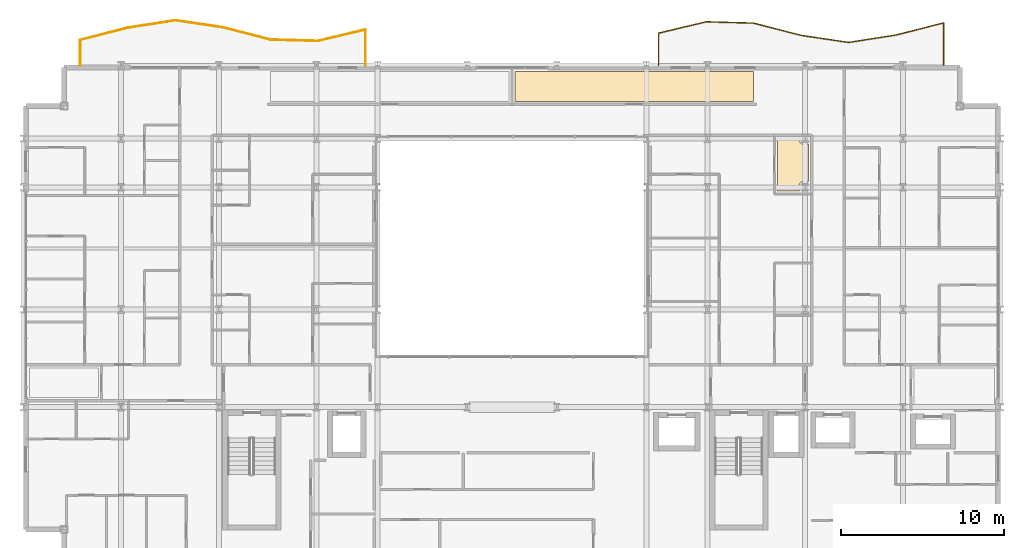
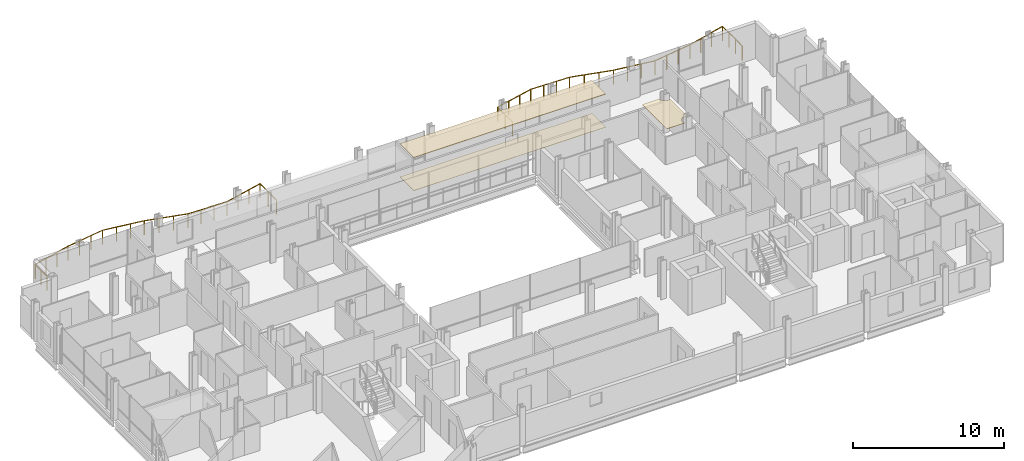
# One storey, part 41 of 41: 3 coverings, 2 railings.
"""IFC4 building model written with IfcOpenShell, lengths in metres."""

from ifc_helpers import new_model, si_unit, direction, frame, origin, origin_2d, place, context, subcontext, project, spatial, polyline, circle, outline, extrude, material, layer, layer_set, type_object, element, save


model = new_model("IFC4")

# Units and contexts
model_context = context("Model", 3, precision=1e-05, world=origin(), true_north=direction((0.0, 1.0)))
body_context = subcontext(model_context, "Body", "Model", "MODEL_VIEW")
ifc_project = project(units=[si_unit("LENGTHUNIT", "METRE"), si_unit("AREAUNIT", "SQUARE_METRE"), si_unit("VOLUMEUNIT", "CUBIC_METRE"), si_unit("PLANEANGLEUNIT", "RADIAN"), si_unit("MASSUNIT", "GRAM", prefix="KILO")], contexts=[model_context])

# Site, building, storey
site_placement = place(None, origin())
site = spatial("IfcSite", under=ifc_project, at=site_placement, CompositionType="ELEMENT")
building_placement = place(site_placement, origin())
building = spatial("IfcBuilding", under=site, at=building_placement, Name="Brevholm Reach", CompositionType="ELEMENT")
storey_placement = place(building_placement, frame((0.0, 0.0, 43.5)))
storey = spatial("IfcBuildingStorey", under=building, at=storey_placement, Name="L11", CompositionType="ELEMENT", Elevation=43.5)

# Coverings
ifc_material_1 = material(Name="Perforated Mineral-Fibre Class-A Acoustic Suspended Ceiling", Category="gypsum")
ifc_layer_1 = layer(ifc_material_1, 0.044921875)
ifc_layer_set_1 = layer_set([ifc_layer_1], Name="Perforated Mineral-Fibre Class-A Acoustic Suspended Ceiling")
covering_type_1 = type_object("IfcCoveringType", Name="COV-CLG-AC", PredefinedType="CEILING", material=ifc_layer_set_1)
covering_1_placement = place(storey_placement, frame((0.0, 0.0, 2.655029296875)))
element("IfcCovering", 1, at=covering_1_placement, inside=storey, type_object=covering_type_1, Name="L11 Suspended Ceiling L11-79", PredefinedType="CEILING", context=body_context, shape_type="SweptSolid", body=[
    extrude(outline(polyline([(32.626220703125, 30.6201171875), (32.6337890625, 30.6171875), (32.672119140625, 30.607666015625), (32.710693359375, 30.601806640625), (32.75, 30.60009765625), (32.789306640625, 30.601806640625), (32.827880859375, 30.607666015625), (32.8662109375, 30.6171875), (32.873779296875, 30.6201171875), (38.126220703125, 30.6201171875), (38.1337890625, 30.6171875), (38.172119140625, 30.607666015625), (38.210693359375, 30.601806640625), (38.25, 30.60009765625), (38.289306640625, 30.601806640625), (38.327880859375, 30.607666015625), (38.3662109375, 30.6171875), (38.373779296875, 30.6201171875), (41.876220703125, 30.6201171875), (41.8837890625, 30.6171875), (41.922119140625, 30.607666015625), (41.960693359375, 30.601806640625), (42.0, 30.60009765625), (42.039306640625, 30.601806640625), (42.077880859375, 30.607666015625), (42.1162109375, 30.6171875), (42.123779296875, 30.6201171875), (44.820068359375, 30.6201171875), (44.820068359375, 28.783935546875), (30.18408203125, 28.783935546875), (30.18408203125, 30.6201171875), (32.626220703125, 30.6201171875)])), origin(), (0.0, 0.0, 1.0), 0.044921875),
])
ifc_material_2 = material(Name="Moisture-Resistant Skimmed Gypsum Plasterboard Ceiling", Category="gypsum")
ifc_layer_2 = layer(ifc_material_2, 0.030029296875)
ifc_layer_set_2 = layer_set([ifc_layer_2], Name="Moisture-Resistant Skimmed Gypsum Plasterboard Ceiling")
covering_type_2 = type_object("IfcCoveringType", Name="COV-CLG-GYP", PredefinedType="CEILING", material=ifc_layer_set_2)
covering_2_placement = place(storey_placement, frame((0.0, 0.0, 2.669921875)))
element("IfcCovering", 2, at=covering_2_placement, inside=storey, type_object=covering_type_2, Name="L11 Suspended Ceiling L11-63", PredefinedType="CEILING", context=body_context, shape_type="SweptSolid", body=[
    extrude(outline(polyline([(46.2919921875, 26.51611328125), (47.600830078125, 26.51611328125), (47.60009765625, 26.5), (47.601806640625, 26.460693359375), (47.607666015625, 26.422119140625), (47.6171875, 26.3837890625), (47.63037109375, 26.346923828125), (47.647216796875, 26.311279296875), (47.66748046875, 26.27783203125), (47.69091796875, 26.24609375), (47.71728515625, 26.21728515625), (47.74609375, 26.19091796875), (47.77783203125, 26.16748046875), (47.811279296875, 26.147216796875), (47.846923828125, 26.13037109375), (47.8837890625, 26.1171875), (47.922119140625, 26.107666015625), (47.960693359375, 26.101806640625), (48.0, 26.10009765625), (48.039306640625, 26.101806640625), (48.077880859375, 26.107666015625), (48.1162109375, 26.1171875), (48.153076171875, 26.13037109375), (48.188720703125, 26.147216796875), (48.216064453125, 26.163818359375), (48.216064453125, 23.836181640625), (48.188720703125, 23.852783203125), (48.153076171875, 23.86962890625), (48.1162109375, 23.8828125), (48.077880859375, 23.892333984375), (48.039306640625, 23.898193359375), (48.0, 23.89990234375), (47.960693359375, 23.898193359375), (47.922119140625, 23.892333984375), (47.8837890625, 23.8828125), (47.846923828125, 23.86962890625), (47.811279296875, 23.852783203125), (47.77783203125, 23.83251953125), (47.74609375, 23.80908203125), (47.71728515625, 23.78271484375), (47.69091796875, 23.75390625), (47.66748046875, 23.72216796875), (47.647216796875, 23.688720703125), (47.63037109375, 23.653076171875), (47.6171875, 23.6162109375), (47.607666015625, 23.577880859375), (47.601806640625, 23.539306640625), (47.60009765625, 23.5), (47.601806640625, 23.460693359375), (47.607666015625, 23.422119140625), (47.6171875, 23.3837890625), (47.63037109375, 23.346923828125), (47.647216796875, 23.311279296875), (47.666015625, 23.280029296875), (46.2919921875, 23.280029296875), (46.2919921875, 26.51611328125)])), origin(), (0.0, 0.0, 1.0), 0.030029296875),
])
ifc_material_3 = material(Name="Engineered European Oak Acoustic Plank Flooring", Category="timber")
ifc_layer_3 = layer(ifc_material_3, 0.02197265625)
ifc_layer_set_3 = layer_set([ifc_layer_3], Name="Engineered European Oak Acoustic Plank Flooring")
covering_type_3 = type_object("IfcCoveringType", Name="COV-FLR-OAK", PredefinedType="FLOORING", material=ifc_layer_set_3)
covering_3_placement = place(storey_placement, origin())
element("IfcCovering", 3, at=covering_3_placement, inside=storey, type_object=covering_type_3, Name="L11 Floor Finish L11-79", PredefinedType="FLOORING", context=body_context, shape_type="SweptSolid", body=[
    extrude(outline(polyline([(32.626220703125, 30.6201171875), (32.6337890625, 30.6171875), (32.672119140625, 30.607666015625), (32.710693359375, 30.601806640625), (32.75, 30.60009765625), (32.789306640625, 30.601806640625), (32.827880859375, 30.607666015625), (32.8662109375, 30.6171875), (32.873779296875, 30.6201171875), (38.126220703125, 30.6201171875), (38.1337890625, 30.6171875), (38.172119140625, 30.607666015625), (38.210693359375, 30.601806640625), (38.25, 30.60009765625), (38.289306640625, 30.601806640625), (38.327880859375, 30.607666015625), (38.3662109375, 30.6171875), (38.373779296875, 30.6201171875), (41.876220703125, 30.6201171875), (41.8837890625, 30.6171875), (41.922119140625, 30.607666015625), (41.960693359375, 30.601806640625), (42.0, 30.60009765625), (42.039306640625, 30.601806640625), (42.077880859375, 30.607666015625), (42.1162109375, 30.6171875), (42.123779296875, 30.6201171875), (44.820068359375, 30.6201171875), (44.820068359375, 28.783935546875), (30.18408203125, 28.783935546875), (30.18408203125, 30.6201171875), (32.626220703125, 30.6201171875)])), origin(), (0.0, 0.0, 1.0), 0.02197265625),
])

# Railings
ifc_material_4 = material(Name="Brushed Stainless Steel EN 1.4401 and Laminated Glass", Category="steel")
railing_type = type_object("IfcRailingType", Name="RAL-BALC-1150", PredefinedType="BALUSTRADE", material=ifc_material_4)
railing_1_placement = place(storey_placement, frame((56.5, 31.0, 0.0)))
element("IfcRailing", 4, at=railing_1_placement, inside=storey, type_object=railing_type, Name="L11 Guard Balustrade RAL-L11-BAL-NE", PredefinedType="BALUSTRADE", context=body_context, shape_type="SweptSolid", body=[
    extrude(circle(Radius=0.02392578125, at=origin_2d()), frame((0.0, 0.0, 1.1259765625), z_axis=(0.0, 1.0, 0.0), x_axis=(-1.0, 0.0, 0.0)), (0.0, 0.0, 1.0), 2.599609375),
    extrude(circle(Radius=0.02392578125, at=origin_2d()), frame((0.0, 2.599609375, 1.1259765625), z_axis=(-0.968942936238, -0.247284423921, 0.0), x_axis=(0.247284423921, -0.968942936238, 0.0)), (0.0, 0.0, 1.0), 3.01025390625),
    extrude(circle(Radius=0.02392578125, at=origin_2d()), frame((-2.916748046875, 1.855224609375, 1.1259765625), z_axis=(-0.988044338858, -0.154169985571, 0.0), x_axis=(0.154169985571, -0.988044338858, 0.0)), (0.0, 0.0, 1.0), 2.951904296875),
    extrude(circle(Radius=0.02392578125, at=origin_2d()), frame((-5.833251953125, 1.400146484375, 1.1259765625), z_axis=(-0.98916653389, 0.146797711943, 0.0), x_axis=(-0.146797711943, -0.98916653389, 0.0)), (0.0, 0.0, 1.0), 2.94873046875),
    extrude(circle(Radius=0.02392578125, at=origin_2d()), frame((-8.75, 1.8330078125, 1.1259765625), z_axis=(-0.968377202247, 0.2494906695, 0.0), x_axis=(-0.2494906695, -0.968377202247, 0.0)), (0.0, 0.0, 1.0), 3.011962890625),
    extrude(circle(Radius=0.02392578125, at=origin_2d()), frame((-11.666748046875, 2.58447265625, 1.1259765625), z_axis=(-0.99961635372, 0.027697389342, 0.0), x_axis=(-0.027697389342, -0.99961635372, 0.0)), (0.0, 0.0, 1.0), 2.917724609375),
    extrude(circle(Radius=0.02392578125, at=origin_2d()), frame((-14.583251953125, 2.665283203125, 1.1259765625), z_axis=(-0.972705660557, -0.23204244853, 0.0), x_axis=(0.23204244853, -0.972705660557, 0.0)), (0.0, 0.0, 1.0), 2.99853515625),
    extrude(circle(Radius=0.02392578125, at=origin_2d()), frame((-17.5, 1.969482421875, 1.1259765625), z_axis=(0.0, -1.0, 0.0), x_axis=(1.0, 0.0, 0.0)), (0.0, 0.0, 1.0), 1.969482421875),
    extrude(circle(Radius=0.02099609375, at=origin_2d()), origin(), (0.0, 0.0, 1.0), 1.101806640625),
    extrude(circle(Radius=0.02099609375, at=origin_2d()), frame((0.0, 0.866455078125, 0.0)), (0.0, 0.0, 1.0), 1.101806640625),
    extrude(circle(Radius=0.02099609375, at=origin_2d()), frame((0.0, 1.733154296875, 0.0)), (0.0, 0.0, 1.0), 1.101806640625),
    extrude(circle(Radius=0.02099609375, at=origin_2d()), frame((0.0, 2.599609375, 0.0)), (0.0, 0.0, 1.0), 1.101806640625),
    extrude(circle(Radius=0.02099609375, at=origin_2d()), frame((-0.97216796875, 2.3515625, 0.0)), (0.0, 0.0, 1.0), 1.101806640625),
    extrude(circle(Radius=0.02099609375, at=origin_2d()), frame((-1.944580078125, 2.103271484375, 0.0)), (0.0, 0.0, 1.0), 1.101806640625),
    extrude(circle(Radius=0.02099609375, at=origin_2d()), frame((-2.916748046875, 1.855224609375, 0.0)), (0.0, 0.0, 1.0), 1.101806640625),
    extrude(circle(Radius=0.02099609375, at=origin_2d()), frame((-3.888916015625, 1.70361328125, 0.0)), (0.0, 0.0, 1.0), 1.101806640625),
    extrude(circle(Radius=0.02099609375, at=origin_2d()), frame((-4.861083984375, 1.5517578125, 0.0)), (0.0, 0.0, 1.0), 1.101806640625),
    extrude(circle(Radius=0.02099609375, at=origin_2d()), frame((-5.833251953125, 1.400146484375, 0.0)), (0.0, 0.0, 1.0), 1.101806640625),
    extrude(circle(Radius=0.02099609375, at=origin_2d()), frame((-6.805419921875, 1.54443359375, 0.0)), (0.0, 0.0, 1.0), 1.101806640625),
    extrude(circle(Radius=0.02099609375, at=origin_2d()), frame((-7.77783203125, 1.688720703125, 0.0)), (0.0, 0.0, 1.0), 1.101806640625),
    extrude(circle(Radius=0.02099609375, at=origin_2d()), frame((-8.75, 1.8330078125, 0.0)), (0.0, 0.0, 1.0), 1.101806640625),
    extrude(circle(Radius=0.02099609375, at=origin_2d()), frame((-9.72216796875, 2.08349609375, 0.0)), (0.0, 0.0, 1.0), 1.101806640625),
    extrude(circle(Radius=0.02099609375, at=origin_2d()), frame((-10.694580078125, 2.333984375, 0.0)), (0.0, 0.0, 1.0), 1.101806640625),
    extrude(circle(Radius=0.02099609375, at=origin_2d()), frame((-11.666748046875, 2.58447265625, 0.0)), (0.0, 0.0, 1.0), 1.101806640625),
    extrude(circle(Radius=0.02099609375, at=origin_2d()), frame((-12.638916015625, 2.611328125, 0.0)), (0.0, 0.0, 1.0), 1.101806640625),
    extrude(circle(Radius=0.02099609375, at=origin_2d()), frame((-13.611083984375, 2.638427734375, 0.0)), (0.0, 0.0, 1.0), 1.101806640625),
    extrude(circle(Radius=0.02099609375, at=origin_2d()), frame((-14.583251953125, 2.665283203125, 0.0)), (0.0, 0.0, 1.0), 1.101806640625),
    extrude(circle(Radius=0.02099609375, at=origin_2d()), frame((-15.555419921875, 2.433349609375, 0.0)), (0.0, 0.0, 1.0), 1.101806640625),
    extrude(circle(Radius=0.02099609375, at=origin_2d()), frame((-16.52783203125, 2.201416015625, 0.0)), (0.0, 0.0, 1.0), 1.101806640625),
    extrude(circle(Radius=0.02099609375, at=origin_2d()), frame((-17.5, 1.969482421875, 0.0)), (0.0, 0.0, 1.0), 1.101806640625),
    extrude(circle(Radius=0.02099609375, at=origin_2d()), frame((-17.5, 0.98486328125, 0.0)), (0.0, 0.0, 1.0), 1.101806640625),
    extrude(circle(Radius=0.02099609375, at=origin_2d()), frame((-17.5, 0.0, 0.0)), (0.0, 0.0, 1.0), 1.101806640625),
])
railing_2_placement = place(storey_placement, frame((21.0, 31.0, 0.0)))
element("IfcRailing", 5, at=railing_2_placement, inside=storey, type_object=railing_type, Name="L11 Guard Balustrade RAL-L11-BAL-NW", PredefinedType="BALUSTRADE", context=body_context, shape_type="SweptSolid", body=[
    extrude(circle(Radius=0.02392578125, at=origin_2d()), frame((0.0, 0.0, 1.1259765625), z_axis=(0.0, 1.0, 0.0), x_axis=(-1.0, 0.0, 0.0)), (0.0, 0.0, 1.0), 2.1806640625),
    extrude(circle(Radius=0.02392578125, at=origin_2d()), frame((0.0, 2.1806640625, 1.1259765625), z_axis=(-0.972687280988, -0.232119480882, 0.0), x_axis=(0.232119480882, -0.972687280988, 0.0)), (0.0, 0.0, 1.0), 2.99853515625),
    extrude(circle(Radius=0.02392578125, at=origin_2d()), frame((-2.916748046875, 1.484619140625, 1.1259765625), z_axis=(-0.999614033457, 0.027781002771, 0.0), x_axis=(-0.027781002771, -0.999614033457, 0.0)), (0.0, 0.0, 1.0), 2.917724609375),
    extrude(circle(Radius=0.02392578125, at=origin_2d()), frame((-5.833251953125, 1.565673828125, 1.1259765625), z_axis=(-0.968396782901, 0.249414656482, 0.0), x_axis=(-0.249414656482, -0.968396782901, 0.0)), (0.0, 0.0, 1.0), 3.011962890625),
    extrude(circle(Radius=0.02392578125, at=origin_2d()), frame((-8.75, 2.31689453125, 1.1259765625), z_axis=(-0.989154508095, 0.146878722471, 0.0), x_axis=(-0.146878722471, -0.989154508095, 0.0)), (0.0, 0.0, 1.0), 2.94873046875),
    extrude(circle(Radius=0.02392578125, at=origin_2d()), frame((-11.666748046875, 2.75, 1.1259765625), z_axis=(-0.988044338858, -0.154169985571, 0.0), x_axis=(0.154169985571, -0.988044338858, 0.0)), (0.0, 0.0, 1.0), 2.951904296875),
    extrude(circle(Radius=0.02392578125, at=origin_2d()), frame((-14.583251953125, 2.294921875, 1.1259765625), z_axis=(-0.968923500885, -0.24736056564, 0.0), x_axis=(0.24736056564, -0.968923500885, 0.0)), (0.0, 0.0, 1.0), 3.01025390625),
    extrude(circle(Radius=0.02392578125, at=origin_2d()), frame((-17.5, 1.55029296875, 1.1259765625), z_axis=(0.0, -1.0, 0.0), x_axis=(1.0, 0.0, 0.0)), (0.0, 0.0, 1.0), 1.55029296875),
    extrude(circle(Radius=0.02099609375, at=origin_2d()), origin(), (0.0, 0.0, 1.0), 1.101806640625),
    extrude(circle(Radius=0.02099609375, at=origin_2d()), frame((0.0, 1.09033203125, 0.0)), (0.0, 0.0, 1.0), 1.101806640625),
    extrude(circle(Radius=0.02099609375, at=origin_2d()), frame((0.0, 2.1806640625, 0.0)), (0.0, 0.0, 1.0), 1.101806640625),
    extrude(circle(Radius=0.02099609375, at=origin_2d()), frame((-0.97216796875, 1.94873046875, 0.0)), (0.0, 0.0, 1.0), 1.101806640625),
    extrude(circle(Radius=0.02099609375, at=origin_2d()), frame((-1.944580078125, 1.716552734375, 0.0)), (0.0, 0.0, 1.0), 1.101806640625),
    extrude(circle(Radius=0.02099609375, at=origin_2d()), frame((-2.916748046875, 1.484619140625, 0.0)), (0.0, 0.0, 1.0), 1.101806640625),
    extrude(circle(Radius=0.02099609375, at=origin_2d()), frame((-3.888916015625, 1.51171875, 0.0)), (0.0, 0.0, 1.0), 1.101806640625),
    extrude(circle(Radius=0.02099609375, at=origin_2d()), frame((-4.861083984375, 1.53857421875, 0.0)), (0.0, 0.0, 1.0), 1.101806640625),
    extrude(circle(Radius=0.02099609375, at=origin_2d()), frame((-5.833251953125, 1.565673828125, 0.0)), (0.0, 0.0, 1.0), 1.101806640625),
    extrude(circle(Radius=0.02099609375, at=origin_2d()), frame((-6.805419921875, 1.816162109375, 0.0)), (0.0, 0.0, 1.0), 1.101806640625),
    extrude(circle(Radius=0.02099609375, at=origin_2d()), frame((-7.77783203125, 2.06640625, 0.0)), (0.0, 0.0, 1.0), 1.101806640625),
    extrude(circle(Radius=0.02099609375, at=origin_2d()), frame((-8.75, 2.31689453125, 0.0)), (0.0, 0.0, 1.0), 1.101806640625),
    extrude(circle(Radius=0.02099609375, at=origin_2d()), frame((-9.72216796875, 2.461181640625, 0.0)), (0.0, 0.0, 1.0), 1.101806640625),
    extrude(circle(Radius=0.02099609375, at=origin_2d()), frame((-10.694580078125, 2.605712890625, 0.0)), (0.0, 0.0, 1.0), 1.101806640625),
    extrude(circle(Radius=0.02099609375, at=origin_2d()), frame((-11.666748046875, 2.75, 0.0)), (0.0, 0.0, 1.0), 1.101806640625),
    extrude(circle(Radius=0.02099609375, at=origin_2d()), frame((-12.638916015625, 2.598388671875, 0.0)), (0.0, 0.0, 1.0), 1.101806640625),
    extrude(circle(Radius=0.02099609375, at=origin_2d()), frame((-13.611083984375, 2.446533203125, 0.0)), (0.0, 0.0, 1.0), 1.101806640625),
    extrude(circle(Radius=0.02099609375, at=origin_2d()), frame((-14.583251953125, 2.294921875, 0.0)), (0.0, 0.0, 1.0), 1.101806640625),
    extrude(circle(Radius=0.02099609375, at=origin_2d()), frame((-15.555419921875, 2.046630859375, 0.0)), (0.0, 0.0, 1.0), 1.101806640625),
    extrude(circle(Radius=0.02099609375, at=origin_2d()), frame((-16.52783203125, 1.798583984375, 0.0)), (0.0, 0.0, 1.0), 1.101806640625),
    extrude(circle(Radius=0.02099609375, at=origin_2d()), frame((-17.5, 1.55029296875, 0.0)), (0.0, 0.0, 1.0), 1.101806640625),
    extrude(circle(Radius=0.02099609375, at=origin_2d()), frame((-17.5, 0.775146484375, 0.0)), (0.0, 0.0, 1.0), 1.101806640625),
    extrude(circle(Radius=0.02099609375, at=origin_2d()), frame((-17.5, 0.0, 0.0)), (0.0, 0.0, 1.0), 1.101806640625),
])

save(model, "model.ifc")
